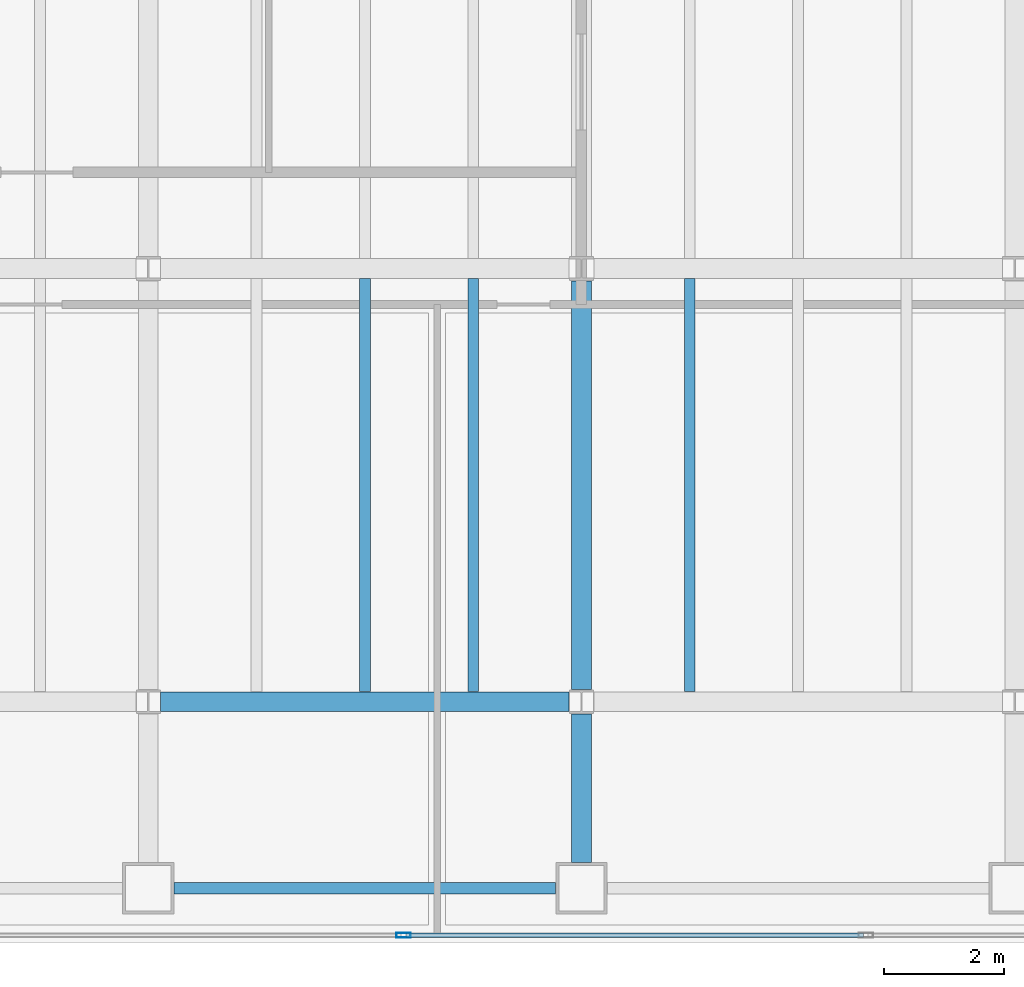
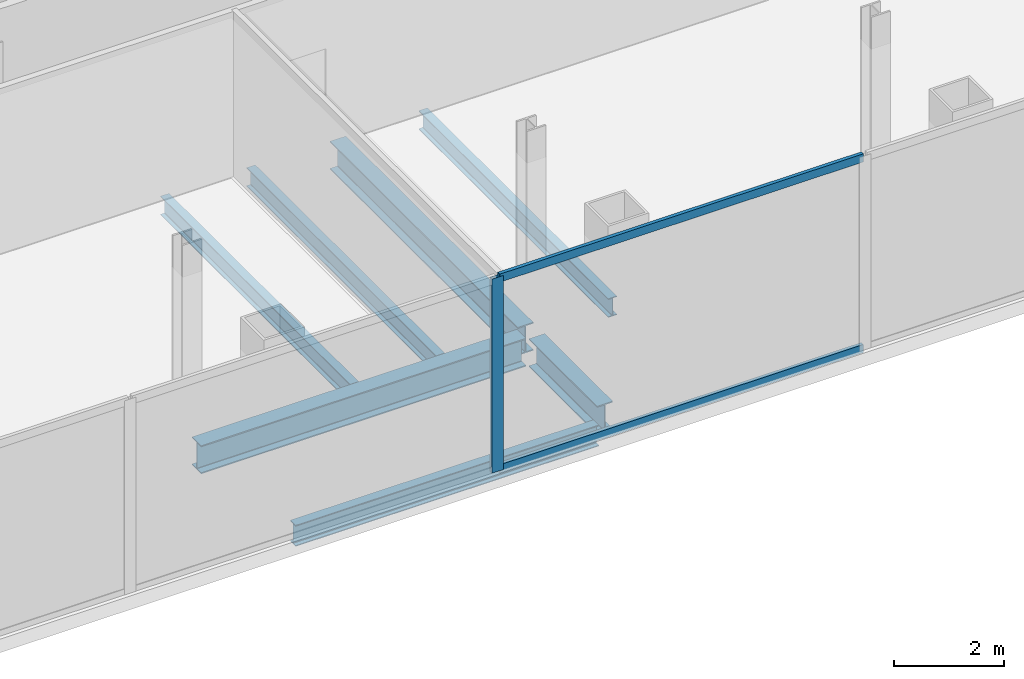
# One storey, part 4 of 20: 7 beams, 3 members, 1 element without a shape of its own.
"""IFC4 building model written with IfcOpenShell, lengths in metres."""

from ifc_helpers import new_model, si_unit, direction, frame, origin, origin_2d, place, context, subcontext, project, spatial, hollow_rectangle, i_section, extrude, material, material_profile, profile_set, type_object, element, aggregate, save


model = new_model("IFC4")

# Units and contexts
model_context = context("Model", 3, precision=1e-05, world=origin(), true_north=direction((0.0, 1.0)))
body_context = subcontext(model_context, "Body", "Model", "MODEL_VIEW")
ifc_project = project(units=[si_unit("LENGTHUNIT", "METRE"), si_unit("AREAUNIT", "SQUARE_METRE"), si_unit("VOLUMEUNIT", "CUBIC_METRE"), si_unit("PLANEANGLEUNIT", "RADIAN"), si_unit("MASSUNIT", "GRAM", prefix="KILO")], contexts=[model_context])

# Site, building, storey
site_placement = place(None, origin())
site = spatial("IfcSite", under=ifc_project, at=site_placement, CompositionType="ELEMENT")
building_placement = place(site_placement, origin())
building = spatial("IfcBuilding", under=site, at=building_placement, Name="Cobrela Telecom Tower", CompositionType="ELEMENT")
storey_placement = place(building_placement, frame((0.0, 0.0, 168.699951171875)))
storey = spatial("IfcBuildingStorey", under=building, at=storey_placement, Name="L42", CompositionType="ELEMENT", Elevation=168.699951171875)

# Beams
ifc_material_1 = material(Name="Steel ASTM A992 Grade 50", Category="steel")
ifc_material_profile_1 = material_profile(ifc_material_1, i_section(OverallWidth=0.327880859375, OverallDepth=0.6220703125, WebThickness=0.015380859375, FlangeThickness=0.0244140625, FilletRadius=0.014892578125, at=origin_2d()), Name="W24X131")
ifc_profile_set_1 = profile_set([ifc_material_profile_1], Name="Steel ASTM A992 Grade 50")
beam_type_1 = type_object("IfcBeamType", Name="BM-GIRD-06", PredefinedType="USERDEFINED", material=ifc_profile_set_1)
beam_1_placement = place(storey_placement, frame((21.804443359375, 7.199951171875, -0.61083984375), z_axis=(1.0, 0.0, 0.0), x_axis=(0.0, 1.0, 0.0)))
element("IfcBeam", 1, at=beam_1_placement, inside=storey, type_object=beam_type_1, Name="L42 Primary Girder X08", ObjectType="GIRDER", PredefinedType="USERDEFINED", context=body_context, shape_type="SweptSolid", body=[
    extrude(i_section(OverallWidth=0.327880859375, OverallDepth=0.6220703125, WebThickness=0.015380859375, FlangeThickness=0.0244140625, FilletRadius=0.014892578125, at=origin_2d()), origin(), (0.0, 0.0, 1.0), 6.791015625),
])
beam_2_placement = place(storey_placement, frame((28.800048828125, 4.530029296875, -0.61083984375), z_axis=(0.0, 1.0, 0.0), x_axis=(-1.0, 0.0, 0.0)))
element("IfcBeam", 2, at=beam_2_placement, inside=storey, type_object=beam_type_1, Name="L42 Primary Girder Y35", ObjectType="GIRDER", PredefinedType="USERDEFINED", context=body_context, shape_type="SweptSolid", body=[
    extrude(i_section(OverallWidth=0.327880859375, OverallDepth=0.6220703125, WebThickness=0.015380859375, FlangeThickness=0.0244140625, FilletRadius=0.014892578125, at=origin_2d()), origin(), (0.0, 0.0, 1.0), 2.465576171875),
])
beam_3_placement = place(storey_placement, frame((28.800048828125, 7.404541015625, -0.61083984375), z_axis=(0.0, 1.0, 0.0), x_axis=(-1.0, 0.0, 0.0)))
element("IfcBeam", 3, at=beam_3_placement, inside=storey, type_object=beam_type_1, Name="L42 Primary Girder Y36", ObjectType="GIRDER", PredefinedType="USERDEFINED", context=body_context, shape_type="SweptSolid", body=[
    extrude(i_section(OverallWidth=0.327880859375, OverallDepth=0.6220703125, WebThickness=0.015380859375, FlangeThickness=0.0244140625, FilletRadius=0.014892578125, at=origin_2d()), origin(), (0.0, 0.0, 1.0), 6.791015625),
])
ifc_material_profile_2 = material_profile(ifc_material_1, i_section(OverallWidth=0.179931640625, OverallDepth=0.4169921875, WebThickness=0.010986328125, FlangeThickness=0.01806640625, FilletRadius=0.011962890625, at=origin_2d()), Name="W16X57")
ifc_profile_set_2 = profile_set([ifc_material_profile_2], Name="Steel ASTM A992 Grade 50")
beam_type_2 = type_object("IfcBeamType", Name="BM-JOIST-04", PredefinedType="JOIST", material=ifc_profile_set_2)
for number, where, z_axis, x_axis, name in (
    (4, (25.199951171875, 7.368896484375, -0.508544921875), (0.0, 1.0, 0.0), (-1.0, 0.0, 0.0), "L42 Secondary Composite Floor Beam J18"),
    (5, (27.0, 7.368896484375, -0.508544921875), (0.0, 1.0, 0.0), (-1.0, 0.0, 0.0), "L42 Secondary Composite Floor Beam J20"),
    (6, (30.60009765625, 7.368896484375, -0.508544921875), (0.0, 1.0, 0.0), (-1.0, 0.0, 0.0), "L42 Secondary Composite Floor Beam J22"),
):
    element("IfcBeam", number, at=place(storey_placement, frame(where, z_axis=z_axis, x_axis=x_axis)), inside=storey, type_object=beam_type_2, Name=name, PredefinedType="JOIST", context=body_context, shape_type="SweptSolid", body=[
        extrude(i_section(OverallWidth=0.179931640625, OverallDepth=0.4169921875, WebThickness=0.010986328125, FlangeThickness=0.01806640625, FilletRadius=0.011962890625, at=origin_2d()), origin(), (0.0, 0.0, 1.0), 6.862060546875),
    ])
ifc_material_profile_3 = material_profile(ifc_material_1, i_section(OverallWidth=0.193115234375, OverallDepth=0.467041015625, WebThickness=0.011474609375, FlangeThickness=0.01904296875, FilletRadius=0.012939453125, at=origin_2d()), Name="W18X65")
ifc_profile_set_3 = profile_set([ifc_material_profile_3], Name="Steel ASTM A992 Grade 50")
beam_type_3 = type_object("IfcBeamType", Name="BM-SPAND-05", PredefinedType="SPANDREL", material=ifc_profile_set_3)
beam_4_placement = place(storey_placement, frame((22.030029296875, 4.10009765625, -0.533447265625), z_axis=(1.0, 0.0, 0.0), x_axis=(0.0, 1.0, 0.0)))
element("IfcBeam", 7, at=beam_4_placement, inside=storey, type_object=beam_type_3, Name="L42 Perimeter Spandrel X03", PredefinedType="SPANDREL", context=body_context, shape_type="SweptSolid", body=[
    extrude(i_section(OverallWidth=0.193115234375, OverallDepth=0.467041015625, WebThickness=0.011474609375, FlangeThickness=0.01904296875, FilletRadius=0.012939453125, at=origin_2d()), origin(), (0.0, 0.0, 1.0), 6.340087890625),
])

# Curtain wall, members
ifc_material_2 = material(Name="Anodized Bronze Aluminium 6063-T6", Category="aluminium")
curtain_wall_type = type_object("IfcCurtainWallType", Name="CW-SYS-SKY", PredefinedType="USERDEFINED", material=ifc_material_2)
curtain_wall_placement = place(storey_placement, origin())
curtain_wall = element("IfcCurtainWall", 8, at=curtain_wall_placement, inside=storey, type_object=curtain_wall_type, Name="L42 Unitised Bronze Curtain Wall 17", ObjectType="UNITISED CURTAIN WALL", PredefinedType="USERDEFINED")
ifc_material_profile_4 = material_profile(ifc_material_2, hollow_rectangle(XDim=0.080078125, YDim=0.239990234375, WallThickness=0.0048828125, at=origin_2d()), Name="ALU 80x240x5")
ifc_profile_set_4 = profile_set([ifc_material_profile_4], Name="Anodized Bronze Aluminium 6063-T6")
member_type_1 = type_object("IfcMemberType", Name="CW-SYS-SKY-MUL", PredefinedType="MULLION", material=ifc_profile_set_4)
member_1_placement = place(storey_placement, frame((25.842041015625, 3.320068359375, 0.0), z_axis=(0.0, 0.0, 1.0), x_axis=(0.0, -1.0, 0.0)))
member_1 = element("IfcMember", 9, at=member_1_placement, type_object=member_type_1, Name="CW-SKY mullion 3", PredefinedType="MULLION", context=body_context, shape_type="SweptSolid", body=[
    extrude(hollow_rectangle(XDim=0.080078125, YDim=0.239990234375, WallThickness=0.0048828125, at=origin_2d()), origin(), (0.0, 0.0, 1.0), 4.2900390625),
])
ifc_material_profile_5 = material_profile(ifc_material_2, hollow_rectangle(XDim=0.074951171875, YDim=0.179931640625, WallThickness=0.00390625, at=origin_2d()), Name="ALU 75x180x4")
ifc_profile_set_5 = profile_set([ifc_material_profile_5], Name="Anodized Bronze Aluminium 6063-T6")
member_type_2 = type_object("IfcMemberType", Name="CW-SYS-SKY-TRN", PredefinedType="USERDEFINED", material=ifc_profile_set_5)
member_2_placement = place(storey_placement, frame((33.486083984375, 3.320068359375, 0.03759765625), z_axis=(-1.0, 0.0, 0.0), x_axis=(0.0, -1.0, 0.0)))
member_2 = element("IfcMember", 10, at=member_2_placement, type_object=member_type_2, Name="CW-SKY transom 2.1", ObjectType="TRANSOM", PredefinedType="USERDEFINED", context=body_context, shape_type="SweptSolid", body=[
    extrude(hollow_rectangle(XDim=0.074951171875, YDim=0.179931640625, WallThickness=0.00390625, at=origin_2d()), origin(), (0.0, 0.0, 1.0), 7.60400390625),
])
member_3_placement = place(storey_placement, frame((33.486083984375, 3.320068359375, 4.25244140625), z_axis=(-1.0, 0.0, 0.0), x_axis=(0.0, -1.0, 0.0)))
member_3 = element("IfcMember", 11, at=member_3_placement, type_object=member_type_2, Name="CW-SKY transom 2.2", ObjectType="TRANSOM", PredefinedType="USERDEFINED", context=body_context, shape_type="SweptSolid", body=[
    extrude(hollow_rectangle(XDim=0.074951171875, YDim=0.179931640625, WallThickness=0.00390625, at=origin_2d()), origin(), (0.0, 0.0, 1.0), 7.60400390625),
])
aggregate(curtain_wall, [member_1, member_2, member_3])

save(model, "model.ifc")
